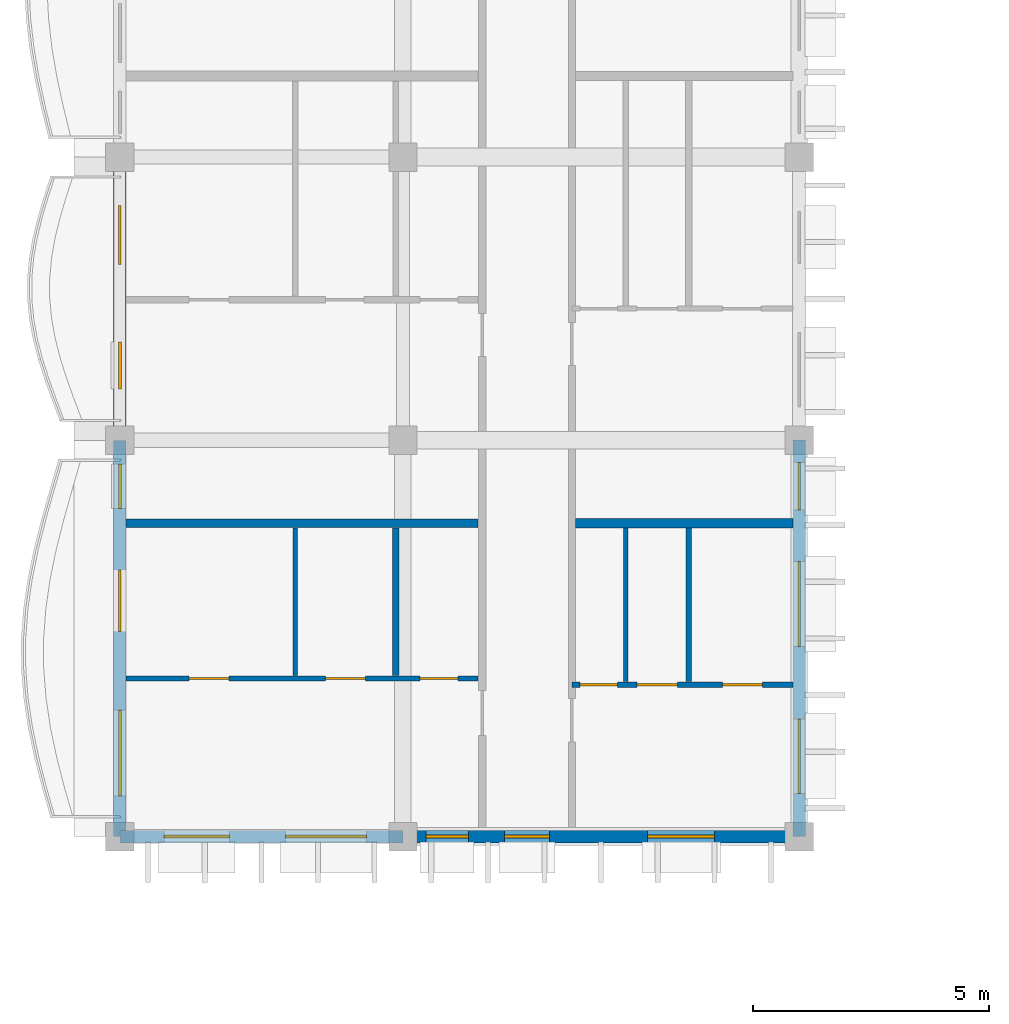
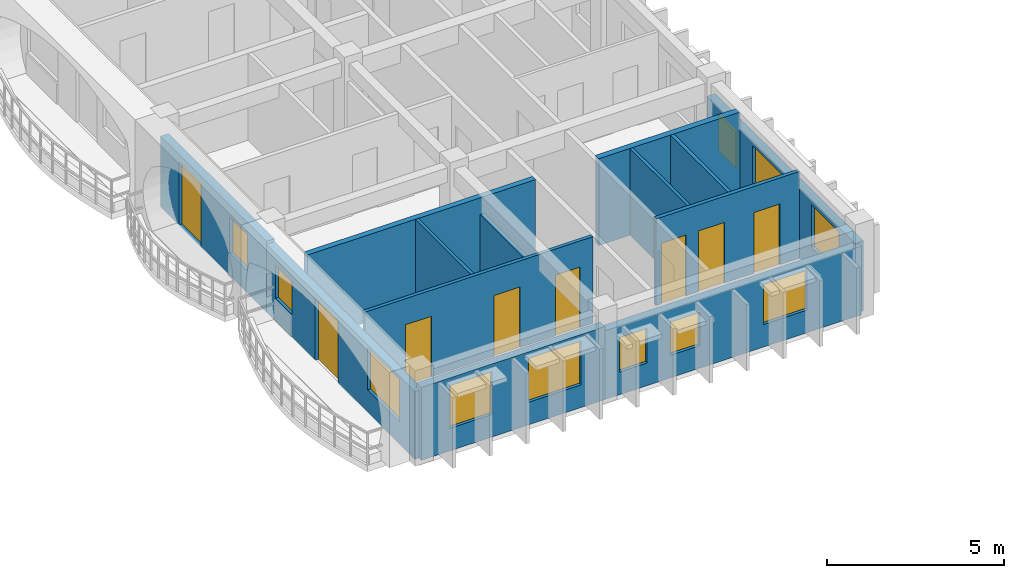
# One storey, part 15 of 45: 13 walls, 11 windows, 8 doors, 19 openings.
"""IFC4 building model written with IfcOpenShell, lengths in metres."""

from ifc_helpers import new_model, si_unit, direction, frame, frame_2d, origin, place, context, subcontext, project, spatial, rectangle, extrude, material, layer, layer_set, type_object, element, fill, save


model = new_model("IFC4")

# Units and contexts
model_context = context("Model", 3, precision=1e-05, world=origin(), true_north=direction((0.0, 1.0)))
body_context = subcontext(model_context, "Body", "Model", "MODEL_VIEW")
ifc_project = project(units=[si_unit("LENGTHUNIT", "METRE"), si_unit("AREAUNIT", "SQUARE_METRE"), si_unit("VOLUMEUNIT", "CUBIC_METRE"), si_unit("PLANEANGLEUNIT", "RADIAN"), si_unit("MASSUNIT", "GRAM", prefix="KILO"), si_unit("THERMODYNAMICTEMPERATUREUNIT", "KELVIN")], contexts=[model_context])

# Site, building, storey
site_placement = place(None, origin())
site = spatial("IfcSite", under=ifc_project, at=site_placement, CompositionType="ELEMENT")
building_placement = place(site_placement, origin())
building = spatial("IfcBuilding", under=site, at=building_placement, Name="Thalorik Housing Commons", CompositionType="ELEMENT")
storey_placement = place(building_placement, frame((0.0, 0.0, 34.5)))
storey = spatial("IfcBuildingStorey", under=building, at=storey_placement, Name="L10", CompositionType="ELEMENT", Elevation=34.5)

# Wall, openings, door, window
ifc_material_1 = material(Name="White precast concrete C40/50", Category="concrete")
ifc_layer_1 = layer(ifc_material_1, 0.264892578125, Name="White precast concrete C40/50", Category="concrete")
ifc_layer_set_1 = layer_set([ifc_layer_1], Name="White precast concrete C40/50")
wall_type_1 = type_object("IfcWallType", Name="ARC-WAL-EXT-265", PredefinedType="STANDARD", material=ifc_layer_set_1)
wall_1_placement = place(storey_placement, frame((8.39990234375, 100.800048828125, 0.0), z_axis=(0.0, 0.0, 1.0), x_axis=(0.0, -1.0, 0.0)))
wall_1 = element("IfcWall", 1, at=wall_1_placement, inside=storey, type_object=wall_type_1, Name="L10 Exterior Wall WAL-EXT-L10-A-0272", PredefinedType="STANDARD", context=body_context, shape_type="SweptSolid", body=[
    extrude(rectangle(XDim=6.0, YDim=0.264892578125, at=frame_2d((3.0, 0.0))), origin(), (0.0, 0.0, 1.0), 2.445068359375),
])
opening_1_placement = place(wall_1_placement, frame((1.030029296875, 0.0, 0.0)))
opening_1 = element("IfcOpeningElement", 2, at=opening_1_placement, cuts=wall_1, Name="Opening ED-0087", PredefinedType="OPENING", context=body_context, shape_type="SweptSolid", body=[
    extrude(rectangle(XDim=1.25, YDim=2.199951171875, at=frame_2d((0.625, 1.10009765625))), frame((0.0, 0.142578125, 0.0), z_axis=(0.0, -1.0, 0.0), x_axis=(1.0, 0.0, 0.0)), (0.0, 0.0, 1.0), 0.284912109375),
])
opening_2_placement = place(wall_1_placement, frame((3.9150390625, 0.0, 0.780029296875)))
opening_2 = element("IfcOpeningElement", 3, at=opening_2_placement, cuts=wall_1, Name="Opening W-02", PredefinedType="OPENING", context=body_context, shape_type="SweptSolid", body=[
    extrude(rectangle(XDim=1.0, YDim=1.25, at=frame_2d((0.5, 0.625))), frame((0.0, 0.142578125, 0.0), z_axis=(0.0, -1.0, 0.0), x_axis=(1.0, 0.0, 0.0)), (0.0, 0.0, 1.0), 0.284912109375),
])
ifc_material_2 = material(Name="Anodised aluminium and laminated safety glass", Category="aluminium")
door_type_1 = type_object("IfcDoorType", Name="ARC-DR-BAL-1250", OperationType="NOTDEFINED", PredefinedType="DOOR", material=ifc_material_2)
door_1_placement = place(opening_1_placement, frame((1.25, 0.0, 0.0), z_axis=(0.0, 0.0, 1.0), x_axis=(-1.0, 0.0, 0.0)))
door_1 = element("IfcDoor", 4, at=door_1_placement, inside=storey, type_object=door_type_1, Name="L10 Block A Balcony Glazed Door", OperationType="SINGLE_SWING_RIGHT", OverallHeight=2.199951171875, OverallWidth=1.25, PredefinedType="DOOR", context=body_context, shape_type="SweptSolid", body=[
    extrude(rectangle(XDim=1.25, YDim=2.199951171875, at=frame_2d((0.625, 1.10009765625))), frame((0.0, 0.02490234375, 0.0), z_axis=(0.0, -1.0, 0.0), x_axis=(1.0, 0.0, 0.0)), (0.0, 0.0, 1.0), 0.050048828125),
])
fill(opening_1, door_1)
ifc_material_3 = material(Name="Anodised aluminium and solar-control low-E glass", Category="aluminium")
window_type_1 = type_object("IfcWindowType", Name="ARC-WIN-02", PartitioningType="SINGLE_PANEL", PredefinedType="WINDOW", material=ifc_material_3)
window_1_placement = place(opening_2_placement, origin())
window_1 = element("IfcWindow", 5, at=window_1_placement, inside=storey, type_object=window_type_1, Name="L10 Facade Window 491", OverallHeight=1.25, OverallWidth=1.0, PartitioningType="SINGLE_PANEL", PredefinedType="WINDOW", context=body_context, shape_type="SweptSolid", body=[
    extrude(rectangle(XDim=1.0, YDim=1.25, at=frame_2d((0.5, 0.625))), frame((0.0, 0.030029296875, 0.0), z_axis=(0.0, -1.0, 0.0), x_axis=(1.0, 0.0, 0.0)), (0.0, 0.0, 1.0), 0.06005859375),
])
fill(opening_2, window_1)

# Wall, openings, door, windows
wall_2_placement = place(storey_placement, frame((8.39990234375, 94.800048828125, 0.0), z_axis=(0.0, 0.0, 1.0), x_axis=(0.0, -1.0, 0.0)))
wall_2 = element("IfcWall", 6, at=wall_2_placement, inside=storey, type_object=wall_type_1, Name="L10 Exterior Wall WAL-EXT-L10-A-0273", PredefinedType="STANDARD", context=body_context, shape_type="SweptSolid", body=[
    extrude(rectangle(XDim=8.400146484375, YDim=0.264892578125, at=frame_2d((4.2001953125, 0.0))), origin(), (0.0, 0.0, 1.0), 2.344970703125),
])
opening_3_placement = place(wall_2_placement, frame((2.7548828125, 0.0, 0.0)))
opening_3 = element("IfcOpeningElement", 7, at=opening_3_placement, cuts=wall_2, Name="Opening ED-0088", PredefinedType="OPENING", context=body_context, shape_type="SweptSolid", body=[
    extrude(rectangle(XDim=1.300048828125, YDim=2.14990234375, at=frame_2d((0.64990234375, 1.074951171875))), frame((0.0, 0.142578125, 0.0), z_axis=(0.0, -1.0, 0.0), x_axis=(1.0, 0.0, 0.0)), (0.0, 0.0, 1.0), 0.284912109375),
])
opening_4_placement = place(wall_2_placement, frame((0.5, 0.0, 0.780029296875)))
opening_4 = element("IfcOpeningElement", 8, at=opening_4_placement, cuts=wall_2, Name="Opening W-43", PredefinedType="OPENING", context=body_context, shape_type="SweptSolid", body=[
    extrude(rectangle(XDim=0.949951171875, YDim=1.14990234375, at=frame_2d((0.47509765625, 0.574951171875))), frame((0.0, 0.142578125, 0.0), z_axis=(0.0, -1.0, 0.0), x_axis=(1.0, 0.0, 0.0)), (0.0, 0.0, 1.0), 0.284912109375),
])
opening_5_placement = place(wall_2_placement, frame((5.719970703125, 0.0, 0.780029296875)))
opening_5 = element("IfcOpeningElement", 9, at=opening_5_placement, cuts=wall_2, Name="Opening W-58", PredefinedType="OPENING", context=body_context, shape_type="SweptSolid", body=[
    extrude(rectangle(XDim=1.820068359375, YDim=1.4599609375, at=frame_2d((0.91015625, 0.72998046875))), frame((0.0, 0.142578125, 0.0), z_axis=(0.0, -1.0, 0.0), x_axis=(1.0, 0.0, 0.0)), (0.0, 0.0, 1.0), 0.284912109375),
])
door_type_2 = type_object("IfcDoorType", Name="ARC-DR-BAL-1300", OperationType="NOTDEFINED", PredefinedType="DOOR", material=ifc_material_2)
door_2_placement = place(opening_3_placement, frame((1.300048828125, 0.0, 0.0), z_axis=(0.0, 0.0, 1.0), x_axis=(-1.0, 0.0, 0.0)))
door_2 = element("IfcDoor", 10, at=door_2_placement, inside=storey, type_object=door_type_2, Name="L10 Block A Balcony Glazed Door", OperationType="SINGLE_SWING_LEFT", OverallHeight=2.14990234375, OverallWidth=1.300048828125, PredefinedType="DOOR", context=body_context, shape_type="SweptSolid", body=[
    extrude(rectangle(XDim=1.300048828125, YDim=2.14990234375, at=frame_2d((0.64990234375, 1.074951171875))), frame((0.0, 0.02490234375, 0.0), z_axis=(0.0, -1.0, 0.0), x_axis=(1.0, 0.0, 0.0)), (0.0, 0.0, 1.0), 0.050048828125),
])
fill(opening_3, door_2)
window_type_2 = type_object("IfcWindowType", Name="ARC-WIN-43", PartitioningType="SINGLE_PANEL", PredefinedType="WINDOW", material=ifc_material_3)
window_2_placement = place(opening_4_placement, origin())
window_2 = element("IfcWindow", 11, at=window_2_placement, inside=storey, type_object=window_type_2, Name="L10 Facade Window 492", OverallHeight=1.14990234375, OverallWidth=0.949951171875, PartitioningType="SINGLE_PANEL", PredefinedType="WINDOW", context=body_context, shape_type="SweptSolid", body=[
    extrude(rectangle(XDim=0.949951171875, YDim=1.14990234375, at=frame_2d((0.47509765625, 0.574951171875))), frame((0.0, 0.030029296875, 0.0), z_axis=(0.0, -1.0, 0.0), x_axis=(1.0, 0.0, 0.0)), (0.0, 0.0, 1.0), 0.06005859375),
])
fill(opening_4, window_2)
window_type_3 = type_object("IfcWindowType", Name="ARC-WIN-58", PartitioningType="DOUBLE_PANEL_VERTICAL", PredefinedType="WINDOW", material=ifc_material_3)
window_3_placement = place(opening_5_placement, origin())
window_3 = element("IfcWindow", 12, at=window_3_placement, inside=storey, type_object=window_type_3, Name="L10 Facade Window 493", OverallHeight=1.4599609375, OverallWidth=1.820068359375, PartitioningType="DOUBLE_PANEL_VERTICAL", PredefinedType="WINDOW", context=body_context, shape_type="SweptSolid", body=[
    extrude(rectangle(XDim=1.820068359375, YDim=1.4599609375, at=frame_2d((0.91015625, 0.72998046875))), frame((0.0, 0.030029296875, 0.0), z_axis=(0.0, -1.0, 0.0), x_axis=(1.0, 0.0, 0.0)), (0.0, 0.0, 1.0), 0.06005859375),
])
fill(opening_5, window_3)

# Wall, openings, windows
wall_3_placement = place(storey_placement, frame((8.39990234375, 86.39990234375, 0.0), z_axis=(0.0, 0.0, 1.0), x_axis=(1.0, 0.0, 0.0)))
wall_3 = element("IfcWall", 13, at=wall_3_placement, inside=storey, type_object=wall_type_1, Name="L10 Exterior Wall WAL-EXT-L10-A-0274", PredefinedType="STANDARD", context=body_context, shape_type="SweptSolid", body=[
    extrude(rectangle(XDim=6.0, YDim=0.264892578125, at=frame_2d((3.0, 0.0))), origin(), (0.0, 0.0, 1.0), 2.52490234375),
])
opening_6_placement = place(wall_3_placement, frame((0.93994140625, 0.0, 0.780029296875)))
opening_6 = element("IfcOpeningElement", 14, at=opening_6_placement, cuts=wall_3, Name="Opening W-49", PredefinedType="OPENING", context=body_context, shape_type="SweptSolid", body=[
    extrude(rectangle(XDim=1.3798828125, YDim=1.47998046875, at=frame_2d((0.68994140625, 0.739990234375))), frame((0.0, 0.142578125, 0.0), z_axis=(0.0, -1.0, 0.0), x_axis=(1.0, 0.0, 0.0)), (0.0, 0.0, 1.0), 0.284912109375),
])
opening_7_placement = place(wall_3_placement, frame((3.510009765625, 0.0, 0.780029296875)))
opening_7 = element("IfcOpeningElement", 15, at=opening_7_placement, cuts=wall_3, Name="Opening W-56", PredefinedType="OPENING", context=body_context, shape_type="SweptSolid", body=[
    extrude(rectangle(XDim=1.719970703125, YDim=1.52001953125, at=frame_2d((0.85986328125, 0.760009765625))), frame((0.0, 0.142578125, 0.0), z_axis=(0.0, -1.0, 0.0), x_axis=(1.0, 0.0, 0.0)), (0.0, 0.0, 1.0), 0.284912109375),
])
window_type_4 = type_object("IfcWindowType", Name="ARC-WIN-49", PartitioningType="SINGLE_PANEL", PredefinedType="WINDOW", material=ifc_material_3)
window_4_placement = place(opening_6_placement, origin())
window_4 = element("IfcWindow", 16, at=window_4_placement, inside=storey, type_object=window_type_4, Name="L10 Facade Window 494", OverallHeight=1.47998046875, OverallWidth=1.3798828125, PartitioningType="SINGLE_PANEL", PredefinedType="WINDOW", context=body_context, shape_type="SweptSolid", body=[
    extrude(rectangle(XDim=1.3798828125, YDim=1.47998046875, at=frame_2d((0.68994140625, 0.739990234375))), frame((0.0, 0.030029296875, 0.0), z_axis=(0.0, -1.0, 0.0), x_axis=(1.0, 0.0, 0.0)), (0.0, 0.0, 1.0), 0.06005859375),
])
fill(opening_6, window_4)
window_type_5 = type_object("IfcWindowType", Name="ARC-WIN-56", PartitioningType="DOUBLE_PANEL_VERTICAL", PredefinedType="WINDOW", material=ifc_material_3)
window_5_placement = place(opening_7_placement, origin())
window_5 = element("IfcWindow", 17, at=window_5_placement, inside=storey, type_object=window_type_5, Name="L10 Facade Window 495", OverallHeight=1.52001953125, OverallWidth=1.719970703125, PartitioningType="DOUBLE_PANEL_VERTICAL", PredefinedType="WINDOW", context=body_context, shape_type="SweptSolid", body=[
    extrude(rectangle(XDim=1.719970703125, YDim=1.52001953125, at=frame_2d((0.85986328125, 0.760009765625))), frame((0.0, 0.030029296875, 0.0), z_axis=(0.0, -1.0, 0.0), x_axis=(1.0, 0.0, 0.0)), (0.0, 0.0, 1.0), 0.06005859375),
])
fill(opening_7, window_5)

wall_4_placement = place(storey_placement, frame((14.39990234375, 86.39990234375, 0.0), z_axis=(0.0, 0.0, 1.0), x_axis=(1.0, 0.0, 0.0)))
wall_4 = element("IfcWall", 18, at=wall_4_placement, inside=storey, type_object=wall_type_1, Name="L10 Exterior Wall WAL-EXT-L10-A-0275", PredefinedType="STANDARD", context=body_context, shape_type="SweptSolid", body=[
    extrude(rectangle(XDim=8.400146484375, YDim=0.264892578125, at=frame_2d((4.2001953125, 0.0))), origin(), (0.0, 0.0, 1.0), 2.375),
])
opening_8_placement = place(wall_4_placement, frame((0.485107421875, 0.0, 0.780029296875)))
opening_8 = element("IfcOpeningElement", 19, at=opening_8_placement, cuts=wall_4, Name="Opening W-01", PredefinedType="OPENING", context=body_context, shape_type="SweptSolid", body=[
    extrude(rectangle(XDim=0.89990234375, YDim=1.199951171875, at=frame_2d((0.449951171875, 0.60009765625))), frame((0.0, 0.142578125, 0.0), z_axis=(0.0, -1.0, 0.0), x_axis=(1.0, 0.0, 0.0)), (0.0, 0.0, 1.0), 0.284912109375),
])
opening_9_placement = place(wall_4_placement, frame((2.155029296875, 0.0, 0.780029296875)))
opening_9 = element("IfcOpeningElement", 20, at=opening_9_placement, cuts=wall_4, Name="Opening W-43", PredefinedType="OPENING", context=body_context, shape_type="SweptSolid", body=[
    extrude(rectangle(XDim=0.949951171875, YDim=1.14990234375, at=frame_2d((0.47509765625, 0.574951171875))), frame((0.0, 0.142578125, 0.0), z_axis=(0.0, -1.0, 0.0), x_axis=(1.0, 0.0, 0.0)), (0.0, 0.0, 1.0), 0.284912109375),
])
opening_10_placement = place(wall_4_placement, frame((5.18505859375, 0.0, 0.780029296875)))
opening_10 = element("IfcOpeningElement", 21, at=opening_10_placement, cuts=wall_4, Name="Opening W-50", PredefinedType="OPENING", context=body_context, shape_type="SweptSolid", body=[
    extrude(rectangle(XDim=1.419921875, YDim=1.3798828125, at=frame_2d((0.7099609375, 0.68994140625))), frame((0.0, 0.142578125, 0.0), z_axis=(0.0, -1.0, 0.0), x_axis=(1.0, 0.0, 0.0)), (0.0, 0.0, 1.0), 0.284912109375),
])
window_type_6 = type_object("IfcWindowType", Name="ARC-WIN-01", PartitioningType="SINGLE_PANEL", PredefinedType="WINDOW", material=ifc_material_3)
window_6_placement = place(opening_8_placement, origin())
window_6 = element("IfcWindow", 22, at=window_6_placement, inside=storey, type_object=window_type_6, Name="L10 Facade Window 496", OverallHeight=1.199951171875, OverallWidth=0.89990234375, PartitioningType="SINGLE_PANEL", PredefinedType="WINDOW", context=body_context, shape_type="SweptSolid", body=[
    extrude(rectangle(XDim=0.89990234375, YDim=1.199951171875, at=frame_2d((0.449951171875, 0.60009765625))), frame((0.0, 0.030029296875, 0.0), z_axis=(0.0, -1.0, 0.0), x_axis=(1.0, 0.0, 0.0)), (0.0, 0.0, 1.0), 0.06005859375),
])
fill(opening_8, window_6)
window_7_placement = place(opening_9_placement, origin())
window_7 = element("IfcWindow", 23, at=window_7_placement, inside=storey, type_object=window_type_2, Name="L10 Facade Window 497", OverallHeight=1.14990234375, OverallWidth=0.949951171875, PartitioningType="SINGLE_PANEL", PredefinedType="WINDOW", context=body_context, shape_type="SweptSolid", body=[
    extrude(rectangle(XDim=0.949951171875, YDim=1.14990234375, at=frame_2d((0.47509765625, 0.574951171875))), frame((0.0, 0.030029296875, 0.0), z_axis=(0.0, -1.0, 0.0), x_axis=(1.0, 0.0, 0.0)), (0.0, 0.0, 1.0), 0.06005859375),
])
fill(opening_9, window_7)
window_type_7 = type_object("IfcWindowType", Name="ARC-WIN-50", PartitioningType="SINGLE_PANEL", PredefinedType="WINDOW", material=ifc_material_3)
window_8_placement = place(opening_10_placement, origin())
window_8 = element("IfcWindow", 24, at=window_8_placement, inside=storey, type_object=window_type_7, Name="L10 Facade Window 498", OverallHeight=1.3798828125, OverallWidth=1.419921875, PartitioningType="SINGLE_PANEL", PredefinedType="WINDOW", context=body_context, shape_type="SweptSolid", body=[
    extrude(rectangle(XDim=1.419921875, YDim=1.3798828125, at=frame_2d((0.7099609375, 0.68994140625))), frame((0.0, 0.030029296875, 0.0), z_axis=(0.0, -1.0, 0.0), x_axis=(1.0, 0.0, 0.0)), (0.0, 0.0, 1.0), 0.06005859375),
])
fill(opening_10, window_8)

wall_5_placement = place(storey_placement, frame((22.800048828125, 86.39990234375, 0.0), z_axis=(0.0, 0.0, 1.0), x_axis=(0.0, 1.0, 0.0)))
wall_5 = element("IfcWall", 25, at=wall_5_placement, inside=storey, type_object=wall_type_1, Name="L10 Exterior Wall WAL-EXT-L10-A-0276", PredefinedType="STANDARD", context=body_context, shape_type="SweptSolid", body=[
    extrude(rectangle(XDim=8.400146484375, YDim=0.264892578125, at=frame_2d((4.2001953125, 0.0))), origin(), (0.0, 0.0, 1.0), 2.425048828125),
])
opening_11_placement = place(wall_5_placement, frame((0.914306640625, 0.0, 0.780029296875)))
opening_11 = element("IfcOpeningElement", 26, at=opening_11_placement, cuts=wall_5, Name="Opening W-53", PredefinedType="OPENING", context=body_context, shape_type="SweptSolid", body=[
    extrude(rectangle(XDim=1.580078125, YDim=1.47998046875, at=frame_2d((0.7900390625, 0.739990234375))), frame((0.0, 0.142578125, 0.0), z_axis=(0.0, -1.0, 0.0), x_axis=(1.0, 0.0, 0.0)), (0.0, 0.0, 1.0), 0.284912109375),
])
opening_12_placement = place(wall_5_placement, frame((4.029296875, 0.0, 0.780029296875)))
opening_12 = element("IfcOpeningElement", 27, at=opening_12_placement, cuts=wall_5, Name="Opening W-18", PredefinedType="OPENING", context=body_context, shape_type="SweptSolid", body=[
    extrude(rectangle(XDim=1.800048828125, YDim=1.5, at=frame_2d((0.89990234375, 0.75))), frame((0.0, 0.142578125, 0.0), z_axis=(0.0, -1.0, 0.0), x_axis=(1.0, 0.0, 0.0)), (0.0, 0.0, 1.0), 0.284912109375),
])
opening_13_placement = place(wall_5_placement, frame((6.925048828125, 0.0, 0.780029296875)))
opening_13 = element("IfcOpeningElement", 28, at=opening_13_placement, cuts=wall_5, Name="Opening W-02", PredefinedType="OPENING", context=body_context, shape_type="SweptSolid", body=[
    extrude(rectangle(XDim=1.0, YDim=1.25, at=frame_2d((0.5, 0.625))), frame((0.0, 0.142578125, 0.0), z_axis=(0.0, -1.0, 0.0), x_axis=(1.0, 0.0, 0.0)), (0.0, 0.0, 1.0), 0.284912109375),
])
window_9_placement = place(opening_13_placement, origin())
window_9 = element("IfcWindow", 29, at=window_9_placement, inside=storey, type_object=window_type_1, Name="L10 Facade Window 501", OverallHeight=1.25, OverallWidth=1.0, PartitioningType="SINGLE_PANEL", PredefinedType="WINDOW", context=body_context, shape_type="SweptSolid", body=[
    extrude(rectangle(XDim=1.0, YDim=1.25, at=frame_2d((0.5, 0.625))), frame((0.0, 0.030029296875, 0.0), z_axis=(0.0, -1.0, 0.0), x_axis=(1.0, 0.0, 0.0)), (0.0, 0.0, 1.0), 0.06005859375),
])
fill(opening_13, window_9)
window_type_8 = type_object("IfcWindowType", Name="ARC-WIN-18", PartitioningType="DOUBLE_PANEL_VERTICAL", PredefinedType="WINDOW", material=ifc_material_3)
window_10_placement = place(opening_12_placement, origin())
window_10 = element("IfcWindow", 30, at=window_10_placement, inside=storey, type_object=window_type_8, Name="L10 Facade Window 500", OverallHeight=1.5, OverallWidth=1.800048828125, PartitioningType="DOUBLE_PANEL_VERTICAL", PredefinedType="WINDOW", context=body_context, shape_type="SweptSolid", body=[
    extrude(rectangle(XDim=1.800048828125, YDim=1.5, at=frame_2d((0.89990234375, 0.75))), frame((0.0, 0.030029296875, 0.0), z_axis=(0.0, -1.0, 0.0), x_axis=(1.0, 0.0, 0.0)), (0.0, 0.0, 1.0), 0.06005859375),
])
fill(opening_12, window_10)
window_type_9 = type_object("IfcWindowType", Name="ARC-WIN-53", PartitioningType="SINGLE_PANEL", PredefinedType="WINDOW", material=ifc_material_3)
window_11_placement = place(opening_11_placement, origin())
window_11 = element("IfcWindow", 31, at=window_11_placement, inside=storey, type_object=window_type_9, Name="L10 Facade Window 499", OverallHeight=1.47998046875, OverallWidth=1.580078125, PartitioningType="SINGLE_PANEL", PredefinedType="WINDOW", context=body_context, shape_type="SweptSolid", body=[
    extrude(rectangle(XDim=1.580078125, YDim=1.47998046875, at=frame_2d((0.7900390625, 0.739990234375))), frame((0.0, 0.030029296875, 0.0), z_axis=(0.0, -1.0, 0.0), x_axis=(1.0, 0.0, 0.0)), (0.0, 0.0, 1.0), 0.06005859375),
])
fill(opening_11, window_11)

# Walls
ifc_material_4 = material(Name="Gypsum light stud partition", Category="masonry")
ifc_layer_2 = layer(ifc_material_4, 0.10009765625, Name="Gypsum light stud partition", Category="masonry")
ifc_layer_set_2 = layer_set([ifc_layer_2], Name="Gypsum light stud partition")
wall_type_2 = type_object("IfcWallType", Name="ARC-WAL-PART-100", PredefinedType="PARTITIONING", material=ifc_layer_set_2)
wall_6_placement = place(storey_placement, frame((12.11767578125, 89.8095703125, 0.0), z_axis=(0.0, 0.0, 1.0), x_axis=(0.0, 1.0, 0.0)))
element("IfcWall", 32, at=wall_6_placement, inside=storey, type_object=wall_type_2, Name="L10 Unit 1 Bedroom Partition", PredefinedType="PARTITIONING", context=body_context, shape_type="SweptSolid", body=[
    extrude(rectangle(XDim=3.135986328125, YDim=0.10009765625, at=frame_2d((1.56787109375, 0.0))), origin(), (0.0, 0.0, 1.0), 3.0),
])
wall_7_placement = place(storey_placement, frame((19.122314453125, 89.682861328125, 0.0), z_axis=(0.0, 0.0, 1.0), x_axis=(0.0, 1.0, 0.0)))
element("IfcWall", 33, at=wall_7_placement, inside=storey, type_object=wall_type_2, Name="L10 Unit 1B Wet Wall", PredefinedType="PARTITIONING", context=body_context, shape_type="SweptSolid", body=[
    extrude(rectangle(XDim=3.255126953125, YDim=0.10009765625, at=frame_2d((1.62744140625, 0.0))), origin(), (0.0, 0.0, 1.0), 3.0),
])

# Wall, openings, doors
ifc_material_5 = material(Name="Gypsum moisture-resistant partition", Category="masonry")
ifc_layer_3 = layer(ifc_material_5, 0.114990234375, Name="Gypsum moisture-resistant partition", Category="masonry")
ifc_layer_set_3 = layer_set([ifc_layer_3], Name="Gypsum moisture-resistant partition")
wall_type_3 = type_object("IfcWallType", Name="ARC-WAL-PART-115", PredefinedType="PARTITIONING", material=ifc_layer_set_3)
wall_8_placement = place(storey_placement, frame((8.534423828125, 89.75, 0.0), z_axis=(0.0, 0.0, 1.0), x_axis=(1.0, 0.0, 0.0)))
wall_8 = element("IfcWall", 34, at=wall_8_placement, inside=storey, type_object=wall_type_3, Name="L10 Unit 1 Spine Partition", PredefinedType="PARTITIONING", context=body_context, shape_type="SweptSolid", body=[
    extrude(rectangle(XDim=7.461181640625, YDim=0.114990234375, at=frame_2d((3.73046875, 0.0))), origin(), (0.0, 0.0, 1.0), 3.0),
])
opening_14_placement = place(wall_8_placement, frame((1.329345703125, 0.0, 0.0)))
opening_14 = element("IfcOpeningElement", 35, at=opening_14_placement, cuts=wall_8, Name="Opening ID-0837", PredefinedType="OPENING", context=body_context, shape_type="SweptSolid", body=[
    extrude(rectangle(XDim=0.85009765625, YDim=2.10009765625, at=frame_2d((0.425048828125, 1.050048828125))), frame((0.0, 0.0673828125, 0.0), z_axis=(0.0, -1.0, 0.0), x_axis=(1.0, 0.0, 0.0)), (0.0, 0.0, 1.0), 0.135009765625),
])
opening_15_placement = place(wall_8_placement, frame((4.224853515625, 0.0, 0.0)))
opening_15 = element("IfcOpeningElement", 36, at=opening_15_placement, cuts=wall_8, Name="Opening ID-0838", PredefinedType="OPENING", context=body_context, shape_type="SweptSolid", body=[
    extrude(rectangle(XDim=0.85009765625, YDim=2.10009765625, at=frame_2d((0.425048828125, 1.050048828125))), frame((0.0, 0.0673828125, 0.0), z_axis=(0.0, -1.0, 0.0), x_axis=(1.0, 0.0, 0.0)), (0.0, 0.0, 1.0), 0.135009765625),
])
opening_16_placement = place(wall_8_placement, frame((6.231201171875, 0.0, 0.0)))
opening_16 = element("IfcOpeningElement", 37, at=opening_16_placement, cuts=wall_8, Name="Opening ID-0839", PredefinedType="OPENING", context=body_context, shape_type="SweptSolid", body=[
    extrude(rectangle(XDim=0.800048828125, YDim=2.10009765625, at=frame_2d((0.39990234375, 1.050048828125))), frame((0.0, 0.0673828125, 0.0), z_axis=(0.0, -1.0, 0.0), x_axis=(1.0, 0.0, 0.0)), (0.0, 0.0, 1.0), 0.135009765625),
])
ifc_material_6 = material(Name="Moisture-resistant timber", Category="wood")
door_type_3 = type_object("IfcDoorType", Name="ARC-DR-INT-800", OperationType="NOTDEFINED", PredefinedType="DOOR", material=ifc_material_6)
door_3_placement = place(opening_16_placement, origin())
door_3 = element("IfcDoor", 38, at=door_3_placement, inside=storey, type_object=door_type_3, Name="L10 Flat Bathroom Door", OperationType="SINGLE_SWING_RIGHT", OverallHeight=2.10009765625, OverallWidth=0.800048828125, PredefinedType="DOOR", context=body_context, shape_type="SweptSolid", body=[
    extrude(rectangle(XDim=0.800048828125, YDim=2.10009765625, at=frame_2d((0.39990234375, 1.050048828125))), frame((0.0, 0.02490234375, 0.0), z_axis=(0.0, -1.0, 0.0), x_axis=(1.0, 0.0, 0.0)), (0.0, 0.0, 1.0), 0.050048828125),
])
fill(opening_16, door_3)
ifc_material_7 = material(Name="Engineered oak timber", Category="wood")
door_type_4 = type_object("IfcDoorType", Name="ARC-DR-INT-850", OperationType="NOTDEFINED", PredefinedType="DOOR", material=ifc_material_7)
door_4_placement = place(opening_14_placement, origin())
door_4 = element("IfcDoor", 39, at=door_4_placement, inside=storey, type_object=door_type_4, Name="L10 Double Bedroom Door", OperationType="SINGLE_SWING_RIGHT", OverallHeight=2.10009765625, OverallWidth=0.85009765625, PredefinedType="DOOR", context=body_context, shape_type="SweptSolid", body=[
    extrude(rectangle(XDim=0.85009765625, YDim=2.10009765625, at=frame_2d((0.425048828125, 1.050048828125))), frame((0.0, 0.02490234375, 0.0), z_axis=(0.0, -1.0, 0.0), x_axis=(1.0, 0.0, 0.0)), (0.0, 0.0, 1.0), 0.050048828125),
])
fill(opening_14, door_4)
door_5_placement = place(opening_15_placement, origin())
door_5 = element("IfcDoor", 40, at=door_5_placement, inside=storey, type_object=door_type_4, Name="L10 Galley Kitchen Door", OperationType="SINGLE_SWING_LEFT", OverallHeight=2.10009765625, OverallWidth=0.85009765625, PredefinedType="DOOR", context=body_context, shape_type="SweptSolid", body=[
    extrude(rectangle(XDim=0.85009765625, YDim=2.10009765625, at=frame_2d((0.425048828125, 1.050048828125))), frame((0.0, 0.02490234375, 0.0), z_axis=(0.0, -1.0, 0.0), x_axis=(1.0, 0.0, 0.0)), (0.0, 0.0, 1.0), 0.050048828125),
])
fill(opening_15, door_5)

# Wall
wall_9_placement = place(storey_placement, frame((20.455078125, 89.682861328125, 0.0), z_axis=(0.0, 0.0, 1.0), x_axis=(0.0, 1.0, 0.0)))
element("IfcWall", 41, at=wall_9_placement, inside=storey, type_object=wall_type_3, Name="L10 Unit 1B Bedroom Partition", PredefinedType="PARTITIONING", context=body_context, shape_type="SweptSolid", body=[
    extrude(rectangle(XDim=3.255126953125, YDim=0.114990234375, at=frame_2d((1.62744140625, 0.0))), origin(), (0.0, 0.0, 1.0), 3.0),
])

# Wall, openings, doors
ifc_material_8 = material(Name="Gypsum acoustic stud partition", Category="masonry")
ifc_layer_4 = layer(ifc_material_8, 0.125, Name="Gypsum acoustic stud partition", Category="masonry")
ifc_layer_set_4 = layer_set([ifc_layer_4], Name="Gypsum acoustic stud partition")
wall_type_4 = type_object("IfcWallType", Name="ARC-WAL-PART-125", PredefinedType="PARTITIONING", material=ifc_layer_set_4)
wall_10_placement = place(storey_placement, frame((17.97998046875, 89.618408203125, 0.0), z_axis=(0.0, 0.0, 1.0), x_axis=(1.0, 0.0, 0.0)))
wall_10 = element("IfcWall", 42, at=wall_10_placement, inside=storey, type_object=wall_type_4, Name="L10 Unit 1B Spine Partition", PredefinedType="PARTITIONING", context=body_context, shape_type="SweptSolid", body=[
    extrude(rectangle(XDim=4.685546875, YDim=0.125, at=frame_2d((2.3427734375, 0.0))), origin(), (0.0, 0.0, 1.0), 3.0),
])
opening_17_placement = place(wall_10_placement, frame((0.171142578125, 0.0, 0.0)))
opening_17 = element("IfcOpeningElement", 43, at=opening_17_placement, cuts=wall_10, Name="Opening ID-0840", PredefinedType="OPENING", context=body_context, shape_type="SweptSolid", body=[
    extrude(rectangle(XDim=0.800048828125, YDim=2.10009765625, at=frame_2d((0.39990234375, 1.050048828125))), frame((0.0, 0.072509765625, 0.0), z_axis=(0.0, -1.0, 0.0), x_axis=(1.0, 0.0, 0.0)), (0.0, 0.0, 1.0), 0.14501953125),
])
opening_18_placement = place(wall_10_placement, frame((1.3837890625, 0.0, 0.0)))
opening_18 = element("IfcOpeningElement", 44, at=opening_18_placement, cuts=wall_10, Name="Opening ID-0841", PredefinedType="OPENING", context=body_context, shape_type="SweptSolid", body=[
    extrude(rectangle(XDim=0.85009765625, YDim=2.10009765625, at=frame_2d((0.425048828125, 1.050048828125))), frame((0.0, 0.072509765625, 0.0), z_axis=(0.0, -1.0, 0.0), x_axis=(1.0, 0.0, 0.0)), (0.0, 0.0, 1.0), 0.14501953125),
])
opening_19_placement = place(wall_10_placement, frame((3.192626953125, 0.0, 0.0)))
opening_19 = element("IfcOpeningElement", 45, at=opening_19_placement, cuts=wall_10, Name="Opening ID-0842", PredefinedType="OPENING", context=body_context, shape_type="SweptSolid", body=[
    extrude(rectangle(XDim=0.85009765625, YDim=2.10009765625, at=frame_2d((0.425048828125, 1.050048828125))), frame((0.0, 0.072509765625, 0.0), z_axis=(0.0, -1.0, 0.0), x_axis=(1.0, 0.0, 0.0)), (0.0, 0.0, 1.0), 0.14501953125),
])
door_6_placement = place(opening_17_placement, origin())
door_6 = element("IfcDoor", 46, at=door_6_placement, inside=storey, type_object=door_type_3, Name="L10 Accessible Bathroom Door", OperationType="SINGLE_SWING_LEFT", OverallHeight=2.10009765625, OverallWidth=0.800048828125, PredefinedType="DOOR", context=body_context, shape_type="SweptSolid", body=[
    extrude(rectangle(XDim=0.800048828125, YDim=2.10009765625, at=frame_2d((0.39990234375, 1.050048828125))), frame((0.0, 0.02490234375, 0.0), z_axis=(0.0, -1.0, 0.0), x_axis=(1.0, 0.0, 0.0)), (0.0, 0.0, 1.0), 0.050048828125),
])
fill(opening_17, door_6)
door_7_placement = place(opening_18_placement, origin())
door_7 = element("IfcDoor", 47, at=door_7_placement, inside=storey, type_object=door_type_4, Name="L10 Eat-In Kitchen Door", OperationType="SINGLE_SWING_RIGHT", OverallHeight=2.10009765625, OverallWidth=0.85009765625, PredefinedType="DOOR", context=body_context, shape_type="SweptSolid", body=[
    extrude(rectangle(XDim=0.85009765625, YDim=2.10009765625, at=frame_2d((0.425048828125, 1.050048828125))), frame((0.0, 0.02490234375, 0.0), z_axis=(0.0, -1.0, 0.0), x_axis=(1.0, 0.0, 0.0)), (0.0, 0.0, 1.0), 0.050048828125),
])
fill(opening_18, door_7)
door_8_placement = place(opening_19_placement, origin())
door_8 = element("IfcDoor", 48, at=door_8_placement, inside=storey, type_object=door_type_4, Name="L10 Master Bedroom Door", OperationType="SINGLE_SWING_LEFT", OverallHeight=2.10009765625, OverallWidth=0.85009765625, PredefinedType="DOOR", context=body_context, shape_type="SweptSolid", body=[
    extrude(rectangle(XDim=0.85009765625, YDim=2.10009765625, at=frame_2d((0.425048828125, 1.050048828125))), frame((0.0, 0.02490234375, 0.0), z_axis=(0.0, -1.0, 0.0), x_axis=(1.0, 0.0, 0.0)), (0.0, 0.0, 1.0), 0.050048828125),
])
fill(opening_19, door_8)

# Walls
ifc_material_9 = material(Name="Ceramic masonry partition wall", Category="masonry")
ifc_layer_5 = layer(ifc_material_9, 0.139892578125, Name="Ceramic masonry partition wall", Category="masonry")
ifc_layer_set_5 = layer_set([ifc_layer_5], Name="Ceramic masonry partition wall")
wall_type_5 = type_object("IfcWallType", Name="ARC-WAL-PART-140", PredefinedType="PARTITIONING", material=ifc_layer_set_5)
wall_11_placement = place(storey_placement, frame((14.251220703125, 89.8095703125, 0.0), z_axis=(0.0, 0.0, 1.0), x_axis=(0.0, 1.0, 0.0)))
element("IfcWall", 49, at=wall_11_placement, inside=storey, type_object=wall_type_5, Name="L10 Unit 1 Wet Wall", PredefinedType="PARTITIONING", context=body_context, shape_type="SweptSolid", body=[
    extrude(rectangle(XDim=3.135986328125, YDim=0.139892578125, at=frame_2d((1.56787109375, 0.0))), origin(), (0.0, 0.0, 1.0), 2.425048828125),
])
ifc_material_10 = material(Name="Masonry acoustic blockwork wall", Category="masonry")
ifc_layer_6 = layer(ifc_material_10, 0.18505859375, Name="Masonry acoustic blockwork wall", Category="masonry")
ifc_layer_set_6 = layer_set([ifc_layer_6], Name="Masonry acoustic blockwork wall")
wall_type_6 = type_object("IfcWallType", Name="ARC-WAL-PARTY-185", PredefinedType="PARTITIONING", material=ifc_layer_set_6)
wall_12_placement = place(storey_placement, frame((8.534423828125, 93.0400390625, 0.0), z_axis=(0.0, 0.0, 1.0), x_axis=(1.0, 0.0, 0.0)))
element("IfcWall", 50, at=wall_12_placement, inside=storey, type_object=wall_type_6, Name="L10 Inter-Tenancy Wall 1A", PredefinedType="PARTITIONING", context=body_context, shape_type="SweptSolid", body=[
    extrude(rectangle(XDim=7.461181640625, YDim=0.18505859375, at=frame_2d((3.73046875, 0.0))), origin(), (0.0, 0.0, 1.0), 3.0),
])
ifc_material_11 = material(Name="Precast concrete C40/50 acoustic wall", Category="concrete")
ifc_layer_7 = layer(ifc_material_11, 0.199951171875, Name="Precast concrete C40/50 acoustic wall", Category="concrete")
ifc_layer_set_7 = layer_set([ifc_layer_7], Name="Precast concrete C40/50 acoustic wall")
wall_type_7 = type_object("IfcWallType", Name="ARC-WAL-PARTY-200", PredefinedType="PARTITIONING", material=ifc_layer_set_7)
wall_13_placement = place(storey_placement, frame((18.056884765625, 93.0400390625, 0.0), z_axis=(0.0, 0.0, 1.0), x_axis=(1.0, 0.0, 0.0)))
element("IfcWall", 51, at=wall_13_placement, inside=storey, type_object=wall_type_7, Name="L10 Inter-Tenancy Wall 1B", PredefinedType="PARTITIONING", context=body_context, shape_type="SweptSolid", body=[
    extrude(rectangle(XDim=4.608642578125, YDim=0.199951171875, at=frame_2d((2.30419921875, 0.0))), origin(), (0.0, 0.0, 1.0), 3.0),
])

save(model, "model.ifc")
